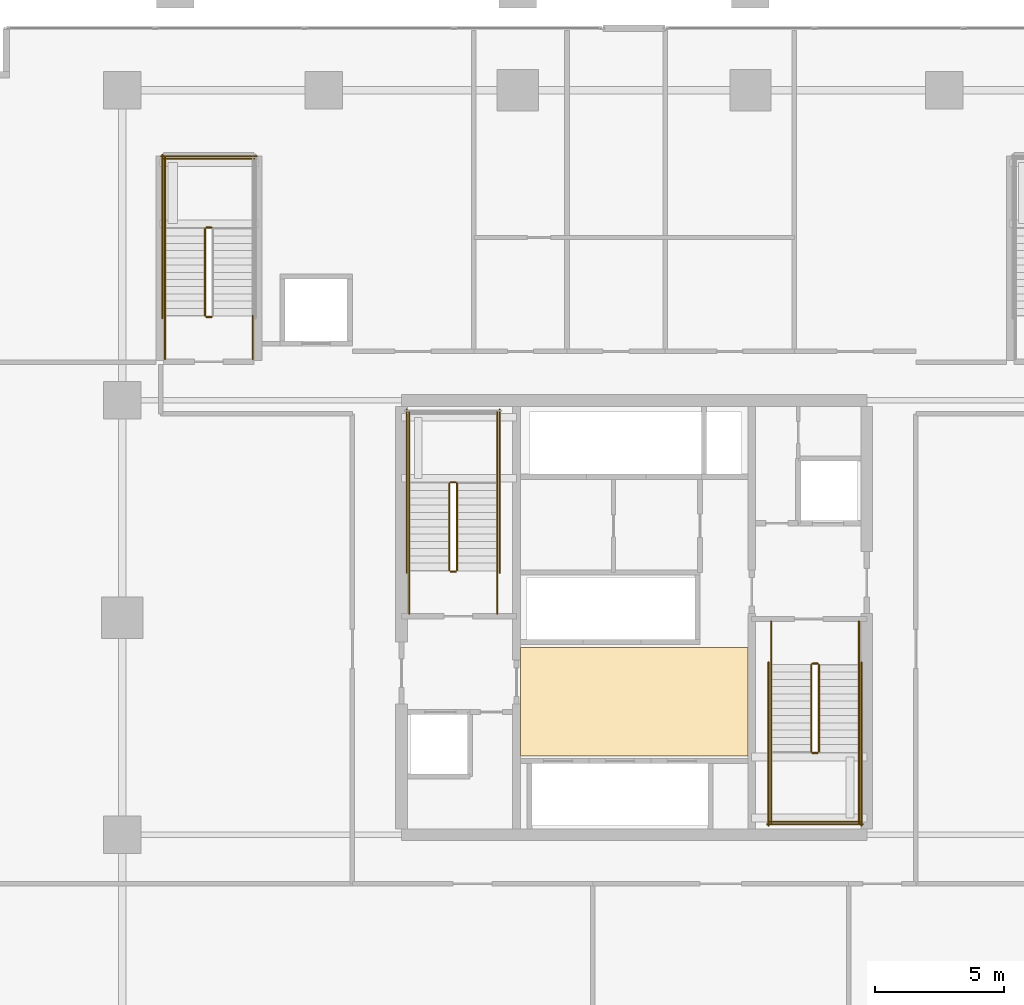
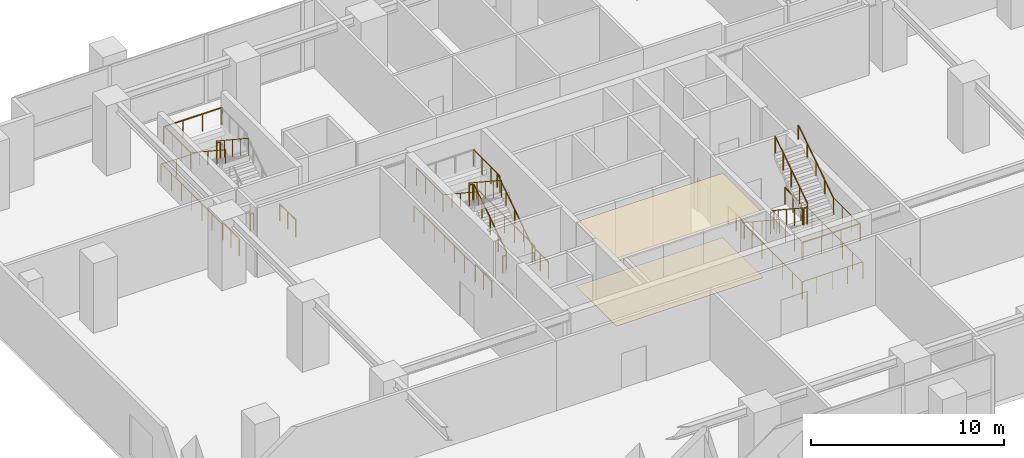
# One storey, part 19 of 20: 36 railings, 2 coverings.
"""IFC4 building model written with IfcOpenShell, lengths in metres."""

from ifc_helpers import new_model, si_unit, direction, frame, origin, origin_2d, place, context, subcontext, project, spatial, polyline, circle, outline, extrude, material, layer, layer_set, type_object, element, save


model = new_model("IFC4")

# Units and contexts
model_context = context("Model", 3, precision=1e-05, world=origin(), true_north=direction((0.0, 1.0)))
body_context = subcontext(model_context, "Body", "Model", "MODEL_VIEW")
ifc_project = project(units=[si_unit("LENGTHUNIT", "METRE"), si_unit("AREAUNIT", "SQUARE_METRE"), si_unit("VOLUMEUNIT", "CUBIC_METRE"), si_unit("PLANEANGLEUNIT", "RADIAN"), si_unit("MASSUNIT", "GRAM", prefix="KILO")], contexts=[model_context])

# Site, building, storey
site_placement = place(None, origin())
site = spatial("IfcSite", under=ifc_project, at=site_placement, CompositionType="ELEMENT")
building_placement = place(site_placement, origin())
building = spatial("IfcBuilding", under=site, at=building_placement, Name="Serunith Strait Residences", CompositionType="ELEMENT")
storey_placement = place(building_placement, frame((0.0, 0.0, 10.5)))
storey = spatial("IfcBuildingStorey", under=building, at=storey_placement, Name="L02", CompositionType="ELEMENT", Elevation=10.5)

# Coverings
ifc_material_1 = material(Name="Perforated acoustic gypsum ceiling tile")
ifc_layer_1 = layer(ifc_material_1, 0.02490234375, Name="Perforated acoustic gypsum ceiling tile")
ifc_layer_set_1 = layer_set([ifc_layer_1], Name="Perforated acoustic gypsum ceiling tile")
covering_type_1 = type_object("IfcCoveringType", Name="COV-CEIL-AC60", PredefinedType="CEILING", material=ifc_layer_set_1)
covering_1_placement = place(storey_placement, frame((0.0, 0.0, 4.070068359375)))
element("IfcCovering", 1, at=covering_1_placement, inside=storey, type_object=covering_type_1, Name="L02 Lift Lobby Acoustic Ceiling", PredefinedType="CEILING", context=body_context, shape_type="SweptSolid", body=[
    extrude(outline(polyline([(28.0, 19.85009765625), (36.800048828125, 19.85009765625), (36.800048828125, 24.050048828125), (28.0, 24.050048828125), (28.0, 19.85009765625)])), origin(), (0.0, 0.0, 1.0), 0.02490234375),
])
ifc_material_2 = material(Name="Honed limestone terrazzo flooring", Category="masonry")
ifc_layer_2 = layer(ifc_material_2, 0.02001953125, Name="Honed limestone terrazzo flooring")
ifc_layer_set_2 = layer_set([ifc_layer_2], Name="Honed limestone terrazzo flooring")
covering_type_2 = type_object("IfcCoveringType", Name="COV-FLOOR-TER40", PredefinedType="FLOORING", material=ifc_layer_set_2)
covering_2_placement = place(storey_placement, origin())
element("IfcCovering", 2, at=covering_2_placement, inside=storey, type_object=covering_type_2, Name="L02 Lift Lobby Terrazzo Flooring", PredefinedType="FLOORING", context=body_context, shape_type="SweptSolid", body=[
    extrude(outline(polyline([(28.0, 19.85009765625), (36.800048828125, 19.85009765625), (36.800048828125, 24.050048828125), (28.0, 24.050048828125), (28.0, 19.85009765625)])), origin(), (0.0, 0.0, 1.0), 0.02001953125),
])

# Railings
ifc_material_3 = material(Name="Brushed stainless steel 316L", Category="steel")
railing_type_1 = type_object("IfcRailingType", Name="RLG-STAIR-GUARD", PredefinedType="BALUSTRADE", material=ifc_material_3)
railing_1_placement = place(storey_placement, frame((25.550048828125, 27.030029296875, 0.1845703125)))
element("IfcRailing", 3, at=railing_1_placement, inside=storey, type_object=railing_type_1, Name="L02 ST-1 stair guard 1", PredefinedType="BALUSTRADE", context=body_context, shape_type="SweptSolid", body=[
    extrude(circle(Radius=0.02392578125, at=origin_2d()), frame((0.0, 0.001708984375, 1.0771484375), z_axis=(0.0, 0.834858096282, 0.550465220583), x_axis=(-1.0, 0.0, 0.0)), (0.0, 0.0, 1.0), 4.0205078125),
    extrude(circle(Radius=0.02099609375, at=origin_2d()), origin(), (0.0, 0.0, 1.0), 1.050048828125),
    extrude(circle(Radius=0.02099609375, at=origin_2d()), frame((0.0, 0.83984375, 0.5537109375)), (0.0, 0.0, 1.0), 1.050048828125),
    extrude(circle(Radius=0.02099609375, at=origin_2d()), frame((0.0, 1.679931640625, 1.107666015625)), (0.0, 0.0, 1.0), 1.050048828125),
    extrude(circle(Radius=0.02099609375, at=origin_2d()), frame((0.0, 2.52001953125, 1.66162109375)), (0.0, 0.0, 1.0), 1.050048828125),
    extrude(circle(Radius=0.02099609375, at=origin_2d()), frame((0.0, 3.35986328125, 2.21533203125)), (0.0, 0.0, 1.0), 1.050048828125),
])
railing_2_placement = place(storey_placement, frame((25.5, 30.43994140625, 2.39990234375)))
element("IfcRailing", 4, at=railing_2_placement, inside=storey, type_object=railing_type_1, Name="L02 ST-1 stair guard 2", PredefinedType="BALUSTRADE", context=body_context, shape_type="SweptSolid", body=[
    extrude(circle(Radius=0.02392578125, at=origin_2d()), frame((-0.001953125, 0.0, 1.076171875), z_axis=(-1.0, 0.0, 0.0), x_axis=(0.0, -1.0, 0.0)), (0.0, 0.0, 1.0), 0.196044921875),
    extrude(circle(Radius=0.02099609375, at=origin_2d()), origin(), (0.0, 0.0, 1.0), 1.050048828125),
    extrude(circle(Radius=0.02099609375, at=origin_2d()), frame((-0.199951171875, 0.0, 0.0)), (0.0, 0.0, 1.0), 1.050048828125),
])
for number, where, name in (
    (5, (27.10009765625, 30.389892578125, 2.39990234375), "L02 ST-1 stair guard 3"),
    (6, (23.699951171875, 30.389892578125, 2.39990234375), "L02 ST-1 stair guard 4"),
):
    element("IfcRailing", number, at=place(storey_placement, frame(where)), inside=storey, type_object=railing_type_1, Name=name, PredefinedType="BALUSTRADE", context=body_context, shape_type="SweptSolid", body=[
        extrude(circle(Radius=0.02392578125, at=origin_2d()), frame((0.0, 0.001953125, 1.076171875), z_axis=(0.0, 1.0, 0.0), x_axis=(-1.0, 0.0, 0.0)), (0.0, 0.0, 1.0), 2.756103515625),
        extrude(circle(Radius=0.02099609375, at=origin_2d()), origin(), (0.0, 0.0, 1.0), 1.050048828125),
        extrude(circle(Radius=0.02099609375, at=origin_2d()), frame((0.0, 0.919921875, 0.0)), (0.0, 0.0, 1.0), 1.050048828125),
        extrude(circle(Radius=0.02099609375, at=origin_2d()), frame((0.0, 1.840087890625, 0.0)), (0.0, 0.0, 1.0), 1.050048828125),
        extrude(circle(Radius=0.02099609375, at=origin_2d()), frame((0.0, 2.760009765625, 0.0)), (0.0, 0.0, 1.0), 1.050048828125),
    ])
railing_3_placement = place(storey_placement, frame((25.25, 30.389892578125, 2.584716796875)))
element("IfcRailing", 7, at=railing_3_placement, inside=storey, type_object=railing_type_1, Name="L02 ST-1 stair guard 6", PredefinedType="BALUSTRADE", context=body_context, shape_type="SweptSolid", body=[
    extrude(circle(Radius=0.02392578125, at=origin_2d()), frame((0.0, -0.001708984375, 1.0771484375), z_axis=(0.0, -0.834858096282, 0.550465220583), x_axis=(1.0, 0.0, 0.0)), (0.0, 0.0, 1.0), 4.0205078125),
    extrude(circle(Radius=0.02099609375, at=origin_2d()), origin(), (0.0, 0.0, 1.0), 1.050048828125),
    extrude(circle(Radius=0.02099609375, at=origin_2d()), frame((0.0, -0.83984375, 0.5537109375)), (0.0, 0.0, 1.0), 1.050048828125),
    extrude(circle(Radius=0.02099609375, at=origin_2d()), frame((0.0, -1.679931640625, 1.107666015625)), (0.0, 0.0, 1.0), 1.050048828125),
    extrude(circle(Radius=0.02099609375, at=origin_2d()), frame((0.0, -2.52001953125, 1.66162109375)), (0.0, 0.0, 1.0), 1.050048828125),
    extrude(circle(Radius=0.02099609375, at=origin_2d()), frame((0.0, -3.35986328125, 2.21533203125)), (0.0, 0.0, 1.0), 1.050048828125),
])
railing_4_placement = place(storey_placement, frame((25.5, 26.97998046875, 0.0)))
element("IfcRailing", 8, at=railing_4_placement, inside=storey, type_object=railing_type_1, Name="L02 ST-1 stair guard 7", PredefinedType="BALUSTRADE", context=body_context, shape_type="SweptSolid", body=[
    extrude(circle(Radius=0.02392578125, at=origin_2d()), frame((-0.001953125, 0.0, 1.076171875), z_axis=(-1.0, 0.0, 0.0), x_axis=(0.0, -1.0, 0.0)), (0.0, 0.0, 1.0), 0.196044921875),
    extrude(circle(Radius=0.02099609375, at=origin_2d()), origin(), (0.0, 0.0, 1.0), 1.050048828125),
    extrude(circle(Radius=0.02099609375, at=origin_2d()), frame((-0.199951171875, 0.0, 0.0)), (0.0, 0.0, 1.0), 1.050048828125),
])
for number, where, name in (
    (9, (27.10009765625, 25.35009765625, 0.0), "L02 ST-1 stair guard 8"),
    (10, (23.699951171875, 25.35009765625, 0.0), "L02 ST-1 stair guard 9"),
):
    element("IfcRailing", number, at=place(storey_placement, frame(where)), inside=storey, type_object=railing_type_1, Name=name, PredefinedType="BALUSTRADE", context=body_context, shape_type="SweptSolid", body=[
        extrude(circle(Radius=0.02392578125, at=origin_2d()), frame((0.0, 0.001953125, 1.076171875), z_axis=(0.0, 1.0, 0.0), x_axis=(-1.0, 0.0, 0.0)), (0.0, 0.0, 1.0), 1.676025390625),
        extrude(circle(Radius=0.02099609375, at=origin_2d()), origin(), (0.0, 0.0, 1.0), 1.050048828125),
        extrude(circle(Radius=0.02099609375, at=origin_2d()), frame((0.0, 0.83984375, 0.0)), (0.0, 0.0, 1.0), 1.050048828125),
        extrude(circle(Radius=0.02099609375, at=origin_2d()), frame((0.0, 1.679931640625, 0.0)), (0.0, 0.0, 1.0), 1.050048828125),
    ])
for number, where, name in (
    (11, (27.199951171875, 26.929931640625, 0.0), "L02 ST-1 stair guard 10"),
    (12, (23.60009765625, 26.929931640625, 0.0), "L02 ST-1 stair guard 11"),
):
    element("IfcRailing", number, at=place(storey_placement, frame(where)), inside=storey, type_object=railing_type_1, Name=name, PredefinedType="BALUSTRADE", context=body_context, shape_type="SweptSolid", body=[
        extrude(circle(Radius=0.02392578125, at=origin_2d()), frame((0.0, 0.001953125, 1.076171875), z_axis=(0.0, 1.0, 0.0), x_axis=(-1.0, 0.0, 0.0)), (0.0, 0.0, 1.0), 6.316162109375),
        extrude(circle(Radius=0.02099609375, at=origin_2d()), origin(), (0.0, 0.0, 1.0), 1.050048828125),
        extrude(circle(Radius=0.02099609375, at=origin_2d()), frame((0.0, 1.05322265625, 0.0)), (0.0, 0.0, 1.0), 1.050048828125),
        extrude(circle(Radius=0.02099609375, at=origin_2d()), frame((0.0, 2.106689453125, 0.0)), (0.0, 0.0, 1.0), 1.050048828125),
        extrude(circle(Radius=0.02099609375, at=origin_2d()), frame((0.0, 3.16015625, 0.0)), (0.0, 0.0, 1.0), 1.050048828125),
        extrude(circle(Radius=0.02099609375, at=origin_2d()), frame((0.0, 4.21337890625, 0.0)), (0.0, 0.0, 1.0), 1.050048828125),
        extrude(circle(Radius=0.02099609375, at=origin_2d()), frame((0.0, 5.2666015625, 0.0)), (0.0, 0.0, 1.0), 1.050048828125),
        extrude(circle(Radius=0.02099609375, at=origin_2d()), frame((0.0, 6.320068359375, 0.0)), (0.0, 0.0, 1.0), 1.050048828125),
    ])
railing_5_placement = place(storey_placement, frame((39.25, 23.3701171875, 0.1845703125)))
element("IfcRailing", 13, at=railing_5_placement, inside=storey, type_object=railing_type_1, Name="L02 ST-2 stair guard 1", PredefinedType="BALUSTRADE", context=body_context, shape_type="SweptSolid", body=[
    extrude(circle(Radius=0.02392578125, at=origin_2d()), frame((0.0, -0.001708984375, 1.0771484375), z_axis=(0.0, -0.834876476806, 0.550437342915), x_axis=(1.0, 0.0, 0.0)), (0.0, 0.0, 1.0), 4.020751953125),
    extrude(circle(Radius=0.02099609375, at=origin_2d()), origin(), (0.0, 0.0, 1.0), 1.050048828125),
    extrude(circle(Radius=0.02099609375, at=origin_2d()), frame((0.0, -0.840087890625, 0.5537109375)), (0.0, 0.0, 1.0), 1.050048828125),
    extrude(circle(Radius=0.02099609375, at=origin_2d()), frame((0.0, -1.68017578125, 1.107666015625)), (0.0, 0.0, 1.0), 1.050048828125),
    extrude(circle(Radius=0.02099609375, at=origin_2d()), frame((0.0, -2.52001953125, 1.66162109375)), (0.0, 0.0, 1.0), 1.050048828125),
    extrude(circle(Radius=0.02099609375, at=origin_2d()), frame((0.0, -3.360107421875, 2.21533203125)), (0.0, 0.0, 1.0), 1.050048828125),
])
railing_6_placement = place(storey_placement, frame((39.300048828125, 19.9599609375, 2.39990234375)))
element("IfcRailing", 14, at=railing_6_placement, inside=storey, type_object=railing_type_1, Name="L02 ST-2 stair guard 2", PredefinedType="BALUSTRADE", context=body_context, shape_type="SweptSolid", body=[
    extrude(circle(Radius=0.02392578125, at=origin_2d()), frame((0.001953125, 0.0, 1.076171875), z_axis=(1.0, 0.0, 0.0), x_axis=(0.0, 1.0, 0.0)), (0.0, 0.0, 1.0), 0.196044921875),
    extrude(circle(Radius=0.02099609375, at=origin_2d()), origin(), (0.0, 0.0, 1.0), 1.050048828125),
    extrude(circle(Radius=0.02099609375, at=origin_2d()), frame((0.199951171875, 0.0, 0.0)), (0.0, 0.0, 1.0), 1.050048828125),
])
for number, where, name in (
    (15, (37.699951171875, 20.010009765625, 2.39990234375), "L02 ST-2 stair guard 3"),
    (16, (41.10009765625, 20.010009765625, 2.39990234375), "L02 ST-2 stair guard 4"),
):
    element("IfcRailing", number, at=place(storey_placement, frame(where)), inside=storey, type_object=railing_type_1, Name=name, PredefinedType="BALUSTRADE", context=body_context, shape_type="SweptSolid", body=[
        extrude(circle(Radius=0.02392578125, at=origin_2d()), frame((0.0, -0.001953125, 1.076171875), z_axis=(0.0, -1.0, 0.0), x_axis=(1.0, 0.0, 0.0)), (0.0, 0.0, 1.0), 2.756103515625),
        extrude(circle(Radius=0.02099609375, at=origin_2d()), origin(), (0.0, 0.0, 1.0), 1.050048828125),
        extrude(circle(Radius=0.02099609375, at=origin_2d()), frame((0.0, -0.919921875, 0.0)), (0.0, 0.0, 1.0), 1.050048828125),
        extrude(circle(Radius=0.02099609375, at=origin_2d()), frame((0.0, -1.840087890625, 0.0)), (0.0, 0.0, 1.0), 1.050048828125),
        extrude(circle(Radius=0.02099609375, at=origin_2d()), frame((0.0, -2.760009765625, 0.0)), (0.0, 0.0, 1.0), 1.050048828125),
    ])
railing_7_placement = place(storey_placement, frame((37.64990234375, 17.300048828125, 2.39990234375)))
element("IfcRailing", 17, at=railing_7_placement, inside=storey, type_object=railing_type_1, Name="L02 ST-2 stair guard 5", PredefinedType="BALUSTRADE", context=body_context, shape_type="SweptSolid", body=[
    extrude(circle(Radius=0.02392578125, at=origin_2d()), frame((0.001953125, 0.0, 1.076171875), z_axis=(1.0, 0.0, 0.0), x_axis=(0.0, 1.0, 0.0)), (0.0, 0.0, 1.0), 3.49609375),
    extrude(circle(Radius=0.02099609375, at=origin_2d()), origin(), (0.0, 0.0, 1.0), 1.050048828125),
    extrude(circle(Radius=0.02099609375, at=origin_2d()), frame((1.166748046875, 0.0, 0.0)), (0.0, 0.0, 1.0), 1.050048828125),
    extrude(circle(Radius=0.02099609375, at=origin_2d()), frame((2.333251953125, 0.0, 0.0)), (0.0, 0.0, 1.0), 1.050048828125),
    extrude(circle(Radius=0.02099609375, at=origin_2d()), frame((3.5, 0.0, 0.0)), (0.0, 0.0, 1.0), 1.050048828125),
])
railing_8_placement = place(storey_placement, frame((39.550048828125, 20.010009765625, 2.584716796875)))
element("IfcRailing", 18, at=railing_8_placement, inside=storey, type_object=railing_type_1, Name="L02 ST-2 stair guard 6", PredefinedType="BALUSTRADE", context=body_context, shape_type="SweptSolid", body=[
    extrude(circle(Radius=0.02392578125, at=origin_2d()), frame((0.0, 0.001708984375, 1.0771484375), z_axis=(0.0, 0.834876476806, 0.550437342915), x_axis=(-1.0, 0.0, 0.0)), (0.0, 0.0, 1.0), 4.020751953125),
    extrude(circle(Radius=0.02099609375, at=origin_2d()), origin(), (0.0, 0.0, 1.0), 1.050048828125),
    extrude(circle(Radius=0.02099609375, at=origin_2d()), frame((0.0, 0.840087890625, 0.5537109375)), (0.0, 0.0, 1.0), 1.050048828125),
    extrude(circle(Radius=0.02099609375, at=origin_2d()), frame((0.0, 1.68017578125, 1.107666015625)), (0.0, 0.0, 1.0), 1.050048828125),
    extrude(circle(Radius=0.02099609375, at=origin_2d()), frame((0.0, 2.52001953125, 1.66162109375)), (0.0, 0.0, 1.0), 1.050048828125),
    extrude(circle(Radius=0.02099609375, at=origin_2d()), frame((0.0, 3.360107421875, 2.21533203125)), (0.0, 0.0, 1.0), 1.050048828125),
])
railing_9_placement = place(storey_placement, frame((39.300048828125, 23.419921875, 0.0)))
element("IfcRailing", 19, at=railing_9_placement, inside=storey, type_object=railing_type_1, Name="L02 ST-2 stair guard 7", PredefinedType="BALUSTRADE", context=body_context, shape_type="SweptSolid", body=[
    extrude(circle(Radius=0.02392578125, at=origin_2d()), frame((0.001953125, 0.0, 1.076171875), z_axis=(1.0, 0.0, 0.0), x_axis=(0.0, 1.0, 0.0)), (0.0, 0.0, 1.0), 0.196044921875),
    extrude(circle(Radius=0.02099609375, at=origin_2d()), origin(), (0.0, 0.0, 1.0), 1.050048828125),
    extrude(circle(Radius=0.02099609375, at=origin_2d()), frame((0.199951171875, 0.0, 0.0)), (0.0, 0.0, 1.0), 1.050048828125),
])
for number, where, name in (
    (20, (37.699951171875, 25.050048828125, 0.0), "L02 ST-2 stair guard 8"),
    (21, (41.10009765625, 25.050048828125, 0.0), "L02 ST-2 stair guard 9"),
):
    element("IfcRailing", number, at=place(storey_placement, frame(where)), inside=storey, type_object=railing_type_1, Name=name, PredefinedType="BALUSTRADE", context=body_context, shape_type="SweptSolid", body=[
        extrude(circle(Radius=0.02392578125, at=origin_2d()), frame((0.0, -0.001953125, 1.076171875), z_axis=(0.0, -1.0, 0.0), x_axis=(1.0, 0.0, 0.0)), (0.0, 0.0, 1.0), 1.676025390625),
        extrude(circle(Radius=0.02099609375, at=origin_2d()), origin(), (0.0, 0.0, 1.0), 1.050048828125),
        extrude(circle(Radius=0.02099609375, at=origin_2d()), frame((0.0, -0.83984375, 0.0)), (0.0, 0.0, 1.0), 1.050048828125),
        extrude(circle(Radius=0.02099609375, at=origin_2d()), frame((0.0, -1.679931640625, 0.0)), (0.0, 0.0, 1.0), 1.050048828125),
    ])
for number, where, name in (
    (22, (37.60009765625, 23.469970703125, 0.0), "L02 ST-2 stair guard 10"),
    (23, (41.199951171875, 23.469970703125, 0.0), "L02 ST-2 stair guard 11"),
):
    element("IfcRailing", number, at=place(storey_placement, frame(where)), inside=storey, type_object=railing_type_1, Name=name, PredefinedType="BALUSTRADE", context=body_context, shape_type="SweptSolid", body=[
        extrude(circle(Radius=0.02392578125, at=origin_2d()), frame((0.0, -0.001953125, 1.076171875), z_axis=(0.0, -1.0, 0.0), x_axis=(1.0, 0.0, 0.0)), (0.0, 0.0, 1.0), 6.316162109375),
        extrude(circle(Radius=0.02099609375, at=origin_2d()), origin(), (0.0, 0.0, 1.0), 1.050048828125),
        extrude(circle(Radius=0.02099609375, at=origin_2d()), frame((0.0, -1.05322265625, 0.0)), (0.0, 0.0, 1.0), 1.050048828125),
        extrude(circle(Radius=0.02099609375, at=origin_2d()), frame((0.0, -2.106689453125, 0.0)), (0.0, 0.0, 1.0), 1.050048828125),
        extrude(circle(Radius=0.02099609375, at=origin_2d()), frame((0.0, -3.16015625, 0.0)), (0.0, 0.0, 1.0), 1.050048828125),
        extrude(circle(Radius=0.02099609375, at=origin_2d()), frame((0.0, -4.21337890625, 0.0)), (0.0, 0.0, 1.0), 1.050048828125),
        extrude(circle(Radius=0.02099609375, at=origin_2d()), frame((0.0, -5.2666015625, 0.0)), (0.0, 0.0, 1.0), 1.050048828125),
        extrude(circle(Radius=0.02099609375, at=origin_2d()), frame((0.0, -6.320068359375, 0.0)), (0.0, 0.0, 1.0), 1.050048828125),
    ])
railing_10_placement = place(storey_placement, frame((37.550048828125, 17.199951171875, 0.0)))
element("IfcRailing", 24, at=railing_10_placement, inside=storey, type_object=railing_type_1, Name="L02 ST-2 stair guard 12", PredefinedType="BALUSTRADE", context=body_context, shape_type="SweptSolid", body=[
    extrude(circle(Radius=0.02392578125, at=origin_2d()), frame((0.001953125, 0.0, 1.076171875), z_axis=(1.0, 0.0, 0.0), x_axis=(0.0, 1.0, 0.0)), (0.0, 0.0, 1.0), 3.696044921875),
    extrude(circle(Radius=0.02099609375, at=origin_2d()), origin(), (0.0, 0.0, 1.0), 1.050048828125),
    extrude(circle(Radius=0.02099609375, at=origin_2d()), frame((0.925048828125, 0.0, 0.0)), (0.0, 0.0, 1.0), 1.050048828125),
    extrude(circle(Radius=0.02099609375, at=origin_2d()), frame((1.85009765625, 0.0, 0.0)), (0.0, 0.0, 1.0), 1.050048828125),
    extrude(circle(Radius=0.02099609375, at=origin_2d()), frame((2.77490234375, 0.0, 0.0)), (0.0, 0.0, 1.0), 1.050048828125),
    extrude(circle(Radius=0.02099609375, at=origin_2d()), frame((3.699951171875, 0.0, 0.0)), (0.0, 0.0, 1.0), 1.050048828125),
])
railing_11_placement = place(storey_placement, frame((16.050048828125, 40.2900390625, 2.39990234375)))
element("IfcRailing", 25, at=railing_11_placement, inside=storey, type_object=railing_type_1, Name="L02 ST-3 stair guard 2", PredefinedType="BALUSTRADE", context=body_context, shape_type="SweptSolid", body=[
    extrude(circle(Radius=0.02392578125, at=origin_2d()), frame((-0.001953125, 0.0, 1.076171875), z_axis=(-1.0, 0.0, 0.0), x_axis=(0.0, -1.0, 0.0)), (0.0, 0.0, 1.0), 0.196044921875),
    extrude(circle(Radius=0.02099609375, at=origin_2d()), origin(), (0.0, 0.0, 1.0), 1.050048828125),
    extrude(circle(Radius=0.02099609375, at=origin_2d()), frame((-0.199951171875, 0.0, 0.0)), (0.0, 0.0, 1.0), 1.050048828125),
])
railing_12_placement = place(storey_placement, frame((14.25, 40.239990234375, 2.39990234375)))
element("IfcRailing", 26, at=railing_12_placement, inside=storey, type_object=railing_type_1, Name="L02 ST-3 stair guard 4", PredefinedType="BALUSTRADE", context=body_context, shape_type="SweptSolid", body=[
    extrude(circle(Radius=0.02392578125, at=origin_2d()), frame((0.0, 0.001953125, 1.076171875), z_axis=(0.0, 1.0, 0.0), x_axis=(-1.0, 0.0, 0.0)), (0.0, 0.0, 1.0), 2.756103515625),
    extrude(circle(Radius=0.02099609375, at=origin_2d()), origin(), (0.0, 0.0, 1.0), 1.050048828125),
    extrude(circle(Radius=0.02099609375, at=origin_2d()), frame((0.0, 0.919921875, 0.0)), (0.0, 0.0, 1.0), 1.050048828125),
    extrude(circle(Radius=0.02099609375, at=origin_2d()), frame((0.0, 1.840087890625, 0.0)), (0.0, 0.0, 1.0), 1.050048828125),
    extrude(circle(Radius=0.02099609375, at=origin_2d()), frame((0.0, 2.760009765625, 0.0)), (0.0, 0.0, 1.0), 1.050048828125),
])
railing_13_placement = place(storey_placement, frame((17.699951171875, 42.949951171875, 2.39990234375)))
element("IfcRailing", 27, at=railing_13_placement, inside=storey, type_object=railing_type_1, Name="L02 ST-3 stair guard 5", PredefinedType="BALUSTRADE", context=body_context, shape_type="SweptSolid", body=[
    extrude(circle(Radius=0.02392578125, at=origin_2d()), frame((-0.001953125, 0.0, 1.076171875), z_axis=(-1.0, 0.0, 0.0), x_axis=(0.0, -1.0, 0.0)), (0.0, 0.0, 1.0), 3.49609375),
    extrude(circle(Radius=0.02099609375, at=origin_2d()), origin(), (0.0, 0.0, 1.0), 1.050048828125),
    extrude(circle(Radius=0.02099609375, at=origin_2d()), frame((-1.166748046875, 0.0, 0.0)), (0.0, 0.0, 1.0), 1.050048828125),
    extrude(circle(Radius=0.02099609375, at=origin_2d()), frame((-2.333251953125, 0.0, 0.0)), (0.0, 0.0, 1.0), 1.050048828125),
    extrude(circle(Radius=0.02099609375, at=origin_2d()), frame((-3.5, 0.0, 0.0)), (0.0, 0.0, 1.0), 1.050048828125),
])
railing_14_placement = place(storey_placement, frame((15.800048828125, 40.239990234375, 2.584716796875)))
element("IfcRailing", 28, at=railing_14_placement, inside=storey, type_object=railing_type_1, Name="L02 ST-3 stair guard 6", PredefinedType="BALUSTRADE", context=body_context, shape_type="SweptSolid", body=[
    extrude(circle(Radius=0.02392578125, at=origin_2d()), frame((0.0, -0.001708984375, 1.0771484375), z_axis=(0.0, -0.834876476806, 0.550437342915), x_axis=(1.0, 0.0, 0.0)), (0.0, 0.0, 1.0), 4.020751953125),
    extrude(circle(Radius=0.02099609375, at=origin_2d()), origin(), (0.0, 0.0, 1.0), 1.050048828125),
    extrude(circle(Radius=0.02099609375, at=origin_2d()), frame((0.0, -0.840087890625, 0.5537109375)), (0.0, 0.0, 1.0), 1.050048828125),
    extrude(circle(Radius=0.02099609375, at=origin_2d()), frame((0.0, -1.68017578125, 1.107666015625)), (0.0, 0.0, 1.0), 1.050048828125),
    extrude(circle(Radius=0.02099609375, at=origin_2d()), frame((0.0, -2.52001953125, 1.66162109375)), (0.0, 0.0, 1.0), 1.050048828125),
    extrude(circle(Radius=0.02099609375, at=origin_2d()), frame((0.0, -3.360107421875, 2.21533203125)), (0.0, 0.0, 1.0), 1.050048828125),
])
railing_15_placement = place(storey_placement, frame((16.050048828125, 36.830078125, 0.0)))
element("IfcRailing", 29, at=railing_15_placement, inside=storey, type_object=railing_type_1, Name="L02 ST-3 stair guard 7", PredefinedType="BALUSTRADE", context=body_context, shape_type="SweptSolid", body=[
    extrude(circle(Radius=0.02392578125, at=origin_2d()), frame((-0.001953125, 0.0, 1.076171875), z_axis=(-1.0, 0.0, 0.0), x_axis=(0.0, -1.0, 0.0)), (0.0, 0.0, 1.0), 0.196044921875),
    extrude(circle(Radius=0.02099609375, at=origin_2d()), origin(), (0.0, 0.0, 1.0), 1.050048828125),
    extrude(circle(Radius=0.02099609375, at=origin_2d()), frame((-0.199951171875, 0.0, 0.0)), (0.0, 0.0, 1.0), 1.050048828125),
])
for number, where, name in (
    (30, (17.64990234375, 35.199951171875, 0.0), "L02 ST-3 stair guard 8"),
    (31, (14.25, 35.199951171875, 0.0), "L02 ST-3 stair guard 9"),
):
    element("IfcRailing", number, at=place(storey_placement, frame(where)), inside=storey, type_object=railing_type_1, Name=name, PredefinedType="BALUSTRADE", context=body_context, shape_type="SweptSolid", body=[
        extrude(circle(Radius=0.02392578125, at=origin_2d()), frame((0.0, 0.001953125, 1.076171875), z_axis=(0.0, 1.0, 0.0), x_axis=(-1.0, 0.0, 0.0)), (0.0, 0.0, 1.0), 1.676025390625),
        extrude(circle(Radius=0.02099609375, at=origin_2d()), origin(), (0.0, 0.0, 1.0), 1.050048828125),
        extrude(circle(Radius=0.02099609375, at=origin_2d()), frame((0.0, 0.83984375, 0.0)), (0.0, 0.0, 1.0), 1.050048828125),
        extrude(circle(Radius=0.02099609375, at=origin_2d()), frame((0.0, 1.679931640625, 0.0)), (0.0, 0.0, 1.0), 1.050048828125),
    ])
railing_16_placement = place(storey_placement, frame((14.14990234375, 36.780029296875, 0.0)))
element("IfcRailing", 32, at=railing_16_placement, inside=storey, type_object=railing_type_1, Name="L02 ST-3 stair guard 11", PredefinedType="BALUSTRADE", context=body_context, shape_type="SweptSolid", body=[
    extrude(circle(Radius=0.02392578125, at=origin_2d()), frame((0.0, 0.001953125, 1.076171875), z_axis=(0.0, 1.0, 0.0), x_axis=(-1.0, 0.0, 0.0)), (0.0, 0.0, 1.0), 6.316162109375),
    extrude(circle(Radius=0.02099609375, at=origin_2d()), origin(), (0.0, 0.0, 1.0), 1.050048828125),
    extrude(circle(Radius=0.02099609375, at=origin_2d()), frame((0.0, 1.05322265625, 0.0)), (0.0, 0.0, 1.0), 1.050048828125),
    extrude(circle(Radius=0.02099609375, at=origin_2d()), frame((0.0, 2.106689453125, 0.0)), (0.0, 0.0, 1.0), 1.050048828125),
    extrude(circle(Radius=0.02099609375, at=origin_2d()), frame((0.0, 3.16015625, 0.0)), (0.0, 0.0, 1.0), 1.050048828125),
    extrude(circle(Radius=0.02099609375, at=origin_2d()), frame((0.0, 4.21337890625, 0.0)), (0.0, 0.0, 1.0), 1.050048828125),
    extrude(circle(Radius=0.02099609375, at=origin_2d()), frame((0.0, 5.2666015625, 0.0)), (0.0, 0.0, 1.0), 1.050048828125),
    extrude(circle(Radius=0.02099609375, at=origin_2d()), frame((0.0, 6.320068359375, 0.0)), (0.0, 0.0, 1.0), 1.050048828125),
])
railing_17_placement = place(storey_placement, frame((17.800048828125, 43.050048828125, 0.0)))
element("IfcRailing", 33, at=railing_17_placement, inside=storey, type_object=railing_type_1, Name="L02 ST-3 stair guard 12", PredefinedType="BALUSTRADE", context=body_context, shape_type="SweptSolid", body=[
    extrude(circle(Radius=0.02392578125, at=origin_2d()), frame((-0.001953125, 0.0, 1.076171875), z_axis=(-1.0, 0.0, 0.0), x_axis=(0.0, -1.0, 0.0)), (0.0, 0.0, 1.0), 3.696044921875),
    extrude(circle(Radius=0.02099609375, at=origin_2d()), origin(), (0.0, 0.0, 1.0), 1.050048828125),
    extrude(circle(Radius=0.02099609375, at=origin_2d()), frame((-0.925048828125, 0.0, 0.0)), (0.0, 0.0, 1.0), 1.050048828125),
    extrude(circle(Radius=0.02099609375, at=origin_2d()), frame((-1.85009765625, 0.0, 0.0)), (0.0, 0.0, 1.0), 1.050048828125),
    extrude(circle(Radius=0.02099609375, at=origin_2d()), frame((-2.77490234375, 0.0, 0.0)), (0.0, 0.0, 1.0), 1.050048828125),
    extrude(circle(Radius=0.02099609375, at=origin_2d()), frame((-3.699951171875, 0.0, 0.0)), (0.0, 0.0, 1.0), 1.050048828125),
])
railing_type_2 = type_object("IfcRailingType", Name="RLG-STAIR-HR", PredefinedType="HANDRAIL", material=ifc_material_3)
railing_18_placement = place(storey_placement, frame((27.10009765625, 27.030029296875, 0.1845703125)))
element("IfcRailing", 34, at=railing_18_placement, inside=storey, type_object=railing_type_2, Name="L02 ST-1 stair handrail 1", PredefinedType="HANDRAIL", context=body_context, shape_type="SweptSolid", body=[
    extrude(circle(Radius=0.02392578125, at=origin_2d()), frame((0.0, 0.001708984375, 0.876953125), z_axis=(0.0, 0.834324749379, 0.551273264882), x_axis=(-1.0, 0.0, 0.0)), (0.0, 0.0, 1.0), 4.358642578125),
    extrude(circle(Radius=0.02099609375, at=origin_2d()), origin(), (0.0, 0.0, 1.0), 0.849853515625),
    extrude(circle(Radius=0.02099609375, at=origin_2d()), frame((0.0, 0.909912109375, 0.601318359375)), (0.0, 0.0, 1.0), 0.849853515625),
    extrude(circle(Radius=0.02099609375, at=origin_2d()), frame((0.0, 1.81982421875, 1.20263671875)), (0.0, 0.0, 1.0), 0.849853515625),
    extrude(circle(Radius=0.02099609375, at=origin_2d()), frame((0.0, 2.72998046875, 1.8037109375)), (0.0, 0.0, 1.0), 0.849853515625),
    extrude(circle(Radius=0.02099609375, at=origin_2d()), frame((0.0, 3.639892578125, 2.405029296875)), (0.0, 0.0, 1.0), 0.849853515625),
])
railing_19_placement = place(storey_placement, frame((23.699951171875, 30.389892578125, 2.584716796875)))
element("IfcRailing", 35, at=railing_19_placement, inside=storey, type_object=railing_type_2, Name="L02 ST-1 stair handrail 2", PredefinedType="HANDRAIL", context=body_context, shape_type="SweptSolid", body=[
    extrude(circle(Radius=0.02392578125, at=origin_2d()), frame((0.0, -0.001708984375, 0.876953125), z_axis=(0.0, -0.834350488086, 0.551234308649), x_axis=(1.0, 0.0, 0.0)), (0.0, 0.0, 1.0), 4.358642578125),
    extrude(circle(Radius=0.02099609375, at=origin_2d()), origin(), (0.0, 0.0, 1.0), 0.849853515625),
    extrude(circle(Radius=0.02099609375, at=origin_2d()), frame((0.0, -0.909912109375, 0.60107421875)), (0.0, 0.0, 1.0), 0.849853515625),
    extrude(circle(Radius=0.02099609375, at=origin_2d()), frame((0.0, -1.81982421875, 1.202392578125)), (0.0, 0.0, 1.0), 0.849853515625),
    extrude(circle(Radius=0.02099609375, at=origin_2d()), frame((0.0, -2.72998046875, 1.8037109375)), (0.0, 0.0, 1.0), 0.849853515625),
    extrude(circle(Radius=0.02099609375, at=origin_2d()), frame((0.0, -3.639892578125, 2.40478515625)), (0.0, 0.0, 1.0), 0.849853515625),
])
railing_20_placement = place(storey_placement, frame((37.699951171875, 23.3701171875, 0.1845703125)))
element("IfcRailing", 36, at=railing_20_placement, inside=storey, type_object=railing_type_2, Name="L02 ST-2 stair handrail 1", PredefinedType="HANDRAIL", context=body_context, shape_type="SweptSolid", body=[
    extrude(circle(Radius=0.02392578125, at=origin_2d()), frame((0.0, -0.001708984375, 0.876953125), z_axis=(0.0, -0.834341754904, 0.551247527), x_axis=(1.0, 0.0, 0.0)), (0.0, 0.0, 1.0), 4.35888671875),
    extrude(circle(Radius=0.02099609375, at=origin_2d()), origin(), (0.0, 0.0, 1.0), 0.849853515625),
    extrude(circle(Radius=0.02099609375, at=origin_2d()), frame((0.0, -0.91015625, 0.601318359375)), (0.0, 0.0, 1.0), 0.849853515625),
    extrude(circle(Radius=0.02099609375, at=origin_2d()), frame((0.0, -1.820068359375, 1.20263671875)), (0.0, 0.0, 1.0), 0.849853515625),
    extrude(circle(Radius=0.02099609375, at=origin_2d()), frame((0.0, -2.72998046875, 1.8037109375)), (0.0, 0.0, 1.0), 0.849853515625),
    extrude(circle(Radius=0.02099609375, at=origin_2d()), frame((0.0, -3.64013671875, 2.405029296875)), (0.0, 0.0, 1.0), 0.849853515625),
])
railing_21_placement = place(storey_placement, frame((41.10009765625, 20.010009765625, 2.584716796875)))
element("IfcRailing", 37, at=railing_21_placement, inside=storey, type_object=railing_type_2, Name="L02 ST-2 stair handrail 2", PredefinedType="HANDRAIL", context=body_context, shape_type="SweptSolid", body=[
    extrude(circle(Radius=0.02392578125, at=origin_2d()), frame((0.0, 0.001708984375, 0.876953125), z_axis=(0.0, 0.834350488086, 0.551234308649), x_axis=(-1.0, 0.0, 0.0)), (0.0, 0.0, 1.0), 4.358642578125),
    extrude(circle(Radius=0.02099609375, at=origin_2d()), origin(), (0.0, 0.0, 1.0), 0.849853515625),
    extrude(circle(Radius=0.02099609375, at=origin_2d()), frame((0.0, 0.909912109375, 0.60107421875)), (0.0, 0.0, 1.0), 0.849853515625),
    extrude(circle(Radius=0.02099609375, at=origin_2d()), frame((0.0, 1.81982421875, 1.202392578125)), (0.0, 0.0, 1.0), 0.849853515625),
    extrude(circle(Radius=0.02099609375, at=origin_2d()), frame((0.0, 2.72998046875, 1.8037109375)), (0.0, 0.0, 1.0), 0.849853515625),
    extrude(circle(Radius=0.02099609375, at=origin_2d()), frame((0.0, 3.639892578125, 2.40478515625)), (0.0, 0.0, 1.0), 0.849853515625),
])
railing_22_placement = place(storey_placement, frame((14.25, 40.239990234375, 2.584716796875)))
element("IfcRailing", 38, at=railing_22_placement, inside=storey, type_object=railing_type_2, Name="L02 ST-3 stair handrail 2", PredefinedType="HANDRAIL", context=body_context, shape_type="SweptSolid", body=[
    extrude(circle(Radius=0.02392578125, at=origin_2d()), frame((0.0, -0.001708984375, 0.876953125), z_axis=(0.0, -0.834350488086, 0.551234308649), x_axis=(1.0, 0.0, 0.0)), (0.0, 0.0, 1.0), 4.358642578125),
    extrude(circle(Radius=0.02099609375, at=origin_2d()), origin(), (0.0, 0.0, 1.0), 0.849853515625),
    extrude(circle(Radius=0.02099609375, at=origin_2d()), frame((0.0, -0.909912109375, 0.60107421875)), (0.0, 0.0, 1.0), 0.849853515625),
    extrude(circle(Radius=0.02099609375, at=origin_2d()), frame((0.0, -1.81982421875, 1.202392578125)), (0.0, 0.0, 1.0), 0.849853515625),
    extrude(circle(Radius=0.02099609375, at=origin_2d()), frame((0.0, -2.72998046875, 1.8037109375)), (0.0, 0.0, 1.0), 0.849853515625),
    extrude(circle(Radius=0.02099609375, at=origin_2d()), frame((0.0, -3.639892578125, 2.40478515625)), (0.0, 0.0, 1.0), 0.849853515625),
])

save(model, "model.ifc")
